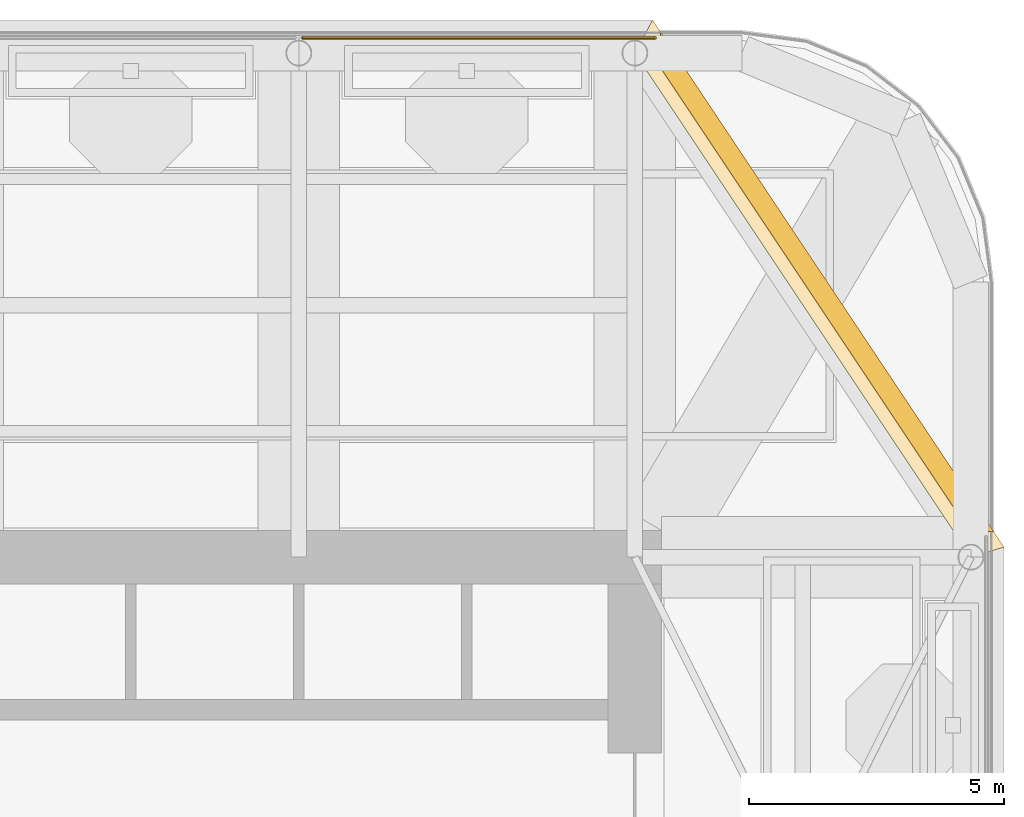
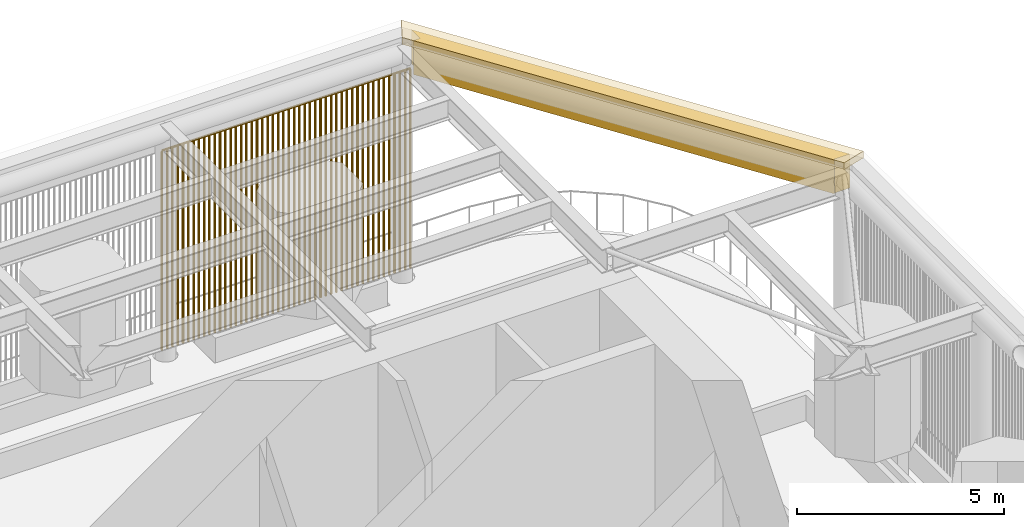
# One storey, part 21 of 22: 3 coverings.
"""IFC4 building model written with IfcOpenShell, lengths in metres."""

from ifc_helpers import new_model, si_unit, direction, frame, origin, place, context, subcontext, project, spatial, polyline, outline, extrude, material, layer, layer_set, type_object, element, save


model = new_model("IFC4")

# Units and contexts
model_context = context("Model", 3, precision=1e-05, world=origin(), true_north=direction((0.0, 1.0)))
body_context = subcontext(model_context, "Body", "Model", "MODEL_VIEW")
ifc_project = project(units=[si_unit("LENGTHUNIT", "METRE"), si_unit("AREAUNIT", "SQUARE_METRE"), si_unit("VOLUMEUNIT", "CUBIC_METRE"), si_unit("PLANEANGLEUNIT", "RADIAN"), si_unit("MASSUNIT", "GRAM", prefix="KILO")], contexts=[model_context])

# Site, building, storey
site_placement = place(None, origin())
site = spatial("IfcSite", under=ifc_project, at=site_placement, CompositionType="ELEMENT")
building_placement = place(site_placement, origin())
building = spatial("IfcBuilding", under=site, at=building_placement, Name="Cobogo Forest Laboratory Tower", CompositionType="ELEMENT")
storey_placement = place(building_placement, frame((0.0, 0.0, 292.800048828125)))
storey = spatial("IfcBuildingStorey", under=building, at=storey_placement, Name="RF", CompositionType="ELEMENT", Elevation=292.800048828125)

# Coverings
ifc_material_1 = material(Name="Terracotta rainscreen panels on steel brackets", Category="masonry")
ifc_layer_1 = layer(ifc_material_1, 0.389892578125)
ifc_layer_set_1 = layer_set([ifc_layer_1], Name="CF1 crown terracotta fascia 390")
covering_type_1 = type_object("IfcCoveringType", Name="CF1 crown terracotta fascia 390", PredefinedType="CLADDING", material=ifc_layer_set_1)
covering_1_placement = place(storey_placement, frame((0.0, 0.0, 5.89990234375)))
element("IfcCovering", 1, at=covering_1_placement, inside=storey, type_object=covering_type_1, Name="Crown fascia NE", PredefinedType="CLADDING", context=body_context, shape_type="SweptSolid", body=[
    extrude(outline(polyline([(46.64794921875, 33.5), (40.10009765625, 43.32177734375), (40.10009765625, 42.89990234375), (39.91259765625, 42.89990234375), (46.199951171875, 33.46875), (46.199951171875, 33.5), (46.64794921875, 33.5)])), origin(), (0.0, 0.0, 1.0), 1.00048828125),
])
ifc_material_2 = material(Name="Terracotta coping on steel brackets", Category="masonry")
ifc_layer_2 = layer(ifc_material_2, 0.199951171875)
ifc_layer_set_2 = layer_set([ifc_layer_2], Name="CF2 crown fascia coping 650")
covering_type_2 = type_object("IfcCoveringType", Name="CF2 crown fascia coping 650", PredefinedType="CLADDING", material=ifc_layer_set_2)
covering_2_placement = place(storey_placement, frame((0.0, 0.0, 6.900390625)))
element("IfcCovering", 2, at=covering_2_placement, inside=storey, type_object=covering_type_2, Name="Crown fascia coping NE", PredefinedType="CLADDING", context=body_context, shape_type="SweptSolid", body=[
    extrude(outline(polyline([(46.199951171875, 33.0), (46.85009765625, 33.19677734375), (39.94775390625, 43.550048828125), (39.60009765625, 42.89990234375), (46.199951171875, 33.0)])), origin(), (0.0, 0.0, 1.0), 0.199462890625),
])
ifc_material_3 = material(Name="Terracotta baguettes on a galvanised steel top rail", Category="masonry")
covering_type_3 = type_object("IfcCoveringType", Name="CS1 crown terracotta baguette screen", PredefinedType="CLADDING", material=ifc_material_3)
covering_3_placement = place(storey_placement, frame((33.074951171875, 43.199951171875, -0.0009765625)))
element("IfcCovering", 3, at=covering_3_placement, inside=storey, type_object=covering_type_3, Name="Crown screen N4", PredefinedType="CLADDING", context=body_context, shape_type="SweptSolid", body=[
    extrude(outline(polyline([(0.02880859375, 0.011962890625), (0.011962890625, 0.02880859375), (-0.011962890625, 0.02880859375), (-0.02880859375, 0.011962890625), (-0.02880859375, -0.011962890625), (-0.011962890625, -0.02880859375), (0.011962890625, -0.02880859375), (0.02880859375, -0.011962890625), (0.02880859375, 0.011962890625)])), frame((0.0, 0.0, 5.873046875), z_axis=(1.0, 0.0, 0.0), x_axis=(0.0, 1.0, 0.0)), (0.0, 0.0, 1.0), 6.925048828125),
    extrude(outline(polyline([(0.02880859375, 0.011962890625), (0.011962890625, 0.02880859375), (-0.011962890625, 0.02880859375), (-0.02880859375, 0.011962890625), (-0.02880859375, -0.011962890625), (-0.011962890625, -0.02880859375), (0.011962890625, -0.02880859375), (0.02880859375, -0.011962890625), (0.02880859375, 0.011962890625)])), origin(), (0.0, 0.0, 1.0), 5.841796875),
    extrude(outline(polyline([(0.02880859375, 0.011962890625), (0.011962890625, 0.02880859375), (-0.011962890625, 0.02880859375), (-0.02880859375, 0.011962890625), (-0.02880859375, -0.011962890625), (-0.011962890625, -0.02880859375), (0.011962890625, -0.02880859375), (0.02880859375, -0.011962890625), (0.02880859375, 0.011962890625)])), frame((0.1474609375, 0.0, 0.0)), (0.0, 0.0, 1.0), 5.841796875),
    extrude(outline(polyline([(0.02880859375, 0.011962890625), (0.011962890625, 0.02880859375), (-0.011962890625, 0.02880859375), (-0.02880859375, 0.011962890625), (-0.02880859375, -0.011962890625), (-0.011962890625, -0.02880859375), (0.011962890625, -0.02880859375), (0.02880859375, -0.011962890625), (0.02880859375, 0.011962890625)])), frame((0.294677734375, 0.0, 0.0)), (0.0, 0.0, 1.0), 5.841796875),
    extrude(outline(polyline([(0.02880859375, 0.011962890625), (0.011962890625, 0.02880859375), (-0.011962890625, 0.02880859375), (-0.02880859375, 0.011962890625), (-0.02880859375, -0.011962890625), (-0.011962890625, -0.02880859375), (0.011962890625, -0.02880859375), (0.02880859375, -0.011962890625), (0.02880859375, 0.011962890625)])), frame((0.442138671875, 0.0, 0.0)), (0.0, 0.0, 1.0), 5.841796875),
    extrude(outline(polyline([(0.02880859375, 0.011962890625), (0.011962890625, 0.02880859375), (-0.011962890625, 0.02880859375), (-0.02880859375, 0.011962890625), (-0.02880859375, -0.011962890625), (-0.011962890625, -0.02880859375), (0.011962890625, -0.02880859375), (0.02880859375, -0.011962890625), (0.02880859375, 0.011962890625)])), frame((0.58935546875, 0.0, 0.0)), (0.0, 0.0, 1.0), 5.841796875),
    extrude(outline(polyline([(0.02880859375, 0.011962890625), (0.011962890625, 0.02880859375), (-0.011962890625, 0.02880859375), (-0.02880859375, 0.011962890625), (-0.02880859375, -0.011962890625), (-0.011962890625, -0.02880859375), (0.011962890625, -0.02880859375), (0.02880859375, -0.011962890625), (0.02880859375, 0.011962890625)])), frame((0.73681640625, 0.0, 0.0)), (0.0, 0.0, 1.0), 5.841796875),
    extrude(outline(polyline([(0.02880859375, 0.011962890625), (0.011962890625, 0.02880859375), (-0.011962890625, 0.02880859375), (-0.02880859375, 0.011962890625), (-0.02880859375, -0.011962890625), (-0.011962890625, -0.02880859375), (0.011962890625, -0.02880859375), (0.02880859375, -0.011962890625), (0.02880859375, 0.011962890625)])), frame((0.884033203125, 0.0, 0.0)), (0.0, 0.0, 1.0), 5.841796875),
    extrude(outline(polyline([(0.02880859375, 0.011962890625), (0.011962890625, 0.02880859375), (-0.011962890625, 0.02880859375), (-0.02880859375, 0.011962890625), (-0.02880859375, -0.011962890625), (-0.011962890625, -0.02880859375), (0.011962890625, -0.02880859375), (0.02880859375, -0.011962890625), (0.02880859375, 0.011962890625)])), frame((1.031494140625, 0.0, 0.0)), (0.0, 0.0, 1.0), 5.841796875),
    extrude(outline(polyline([(0.02880859375, 0.011962890625), (0.011962890625, 0.02880859375), (-0.011962890625, 0.02880859375), (-0.02880859375, 0.011962890625), (-0.02880859375, -0.011962890625), (-0.011962890625, -0.02880859375), (0.011962890625, -0.02880859375), (0.02880859375, -0.011962890625), (0.02880859375, 0.011962890625)])), frame((1.1787109375, 0.0, 0.0)), (0.0, 0.0, 1.0), 5.841796875),
    extrude(outline(polyline([(0.02880859375, 0.011962890625), (0.011962890625, 0.02880859375), (-0.011962890625, 0.02880859375), (-0.02880859375, 0.011962890625), (-0.02880859375, -0.011962890625), (-0.011962890625, -0.02880859375), (0.011962890625, -0.02880859375), (0.02880859375, -0.011962890625), (0.02880859375, 0.011962890625)])), frame((1.326171875, 0.0, 0.0)), (0.0, 0.0, 1.0), 5.841796875),
    extrude(outline(polyline([(0.02880859375, 0.011962890625), (0.011962890625, 0.02880859375), (-0.011962890625, 0.02880859375), (-0.02880859375, 0.011962890625), (-0.02880859375, -0.011962890625), (-0.011962890625, -0.02880859375), (0.011962890625, -0.02880859375), (0.02880859375, -0.011962890625), (0.02880859375, 0.011962890625)])), frame((1.473388671875, 0.0, 0.0)), (0.0, 0.0, 1.0), 5.841796875),
    extrude(outline(polyline([(0.02880859375, 0.011962890625), (0.011962890625, 0.02880859375), (-0.011962890625, 0.02880859375), (-0.02880859375, 0.011962890625), (-0.02880859375, -0.011962890625), (-0.011962890625, -0.02880859375), (0.011962890625, -0.02880859375), (0.02880859375, -0.011962890625), (0.02880859375, 0.011962890625)])), frame((1.620849609375, 0.0, 0.0)), (0.0, 0.0, 1.0), 5.841796875),
    extrude(outline(polyline([(0.02880859375, 0.011962890625), (0.011962890625, 0.02880859375), (-0.011962890625, 0.02880859375), (-0.02880859375, 0.011962890625), (-0.02880859375, -0.011962890625), (-0.011962890625, -0.02880859375), (0.011962890625, -0.02880859375), (0.02880859375, -0.011962890625), (0.02880859375, 0.011962890625)])), frame((1.76806640625, 0.0, 0.0)), (0.0, 0.0, 1.0), 5.841796875),
    extrude(outline(polyline([(0.02880859375, 0.011962890625), (0.011962890625, 0.02880859375), (-0.011962890625, 0.02880859375), (-0.02880859375, 0.011962890625), (-0.02880859375, -0.011962890625), (-0.011962890625, -0.02880859375), (0.011962890625, -0.02880859375), (0.02880859375, -0.011962890625), (0.02880859375, 0.011962890625)])), frame((1.91552734375, 0.0, 0.0)), (0.0, 0.0, 1.0), 5.841796875),
    extrude(outline(polyline([(0.02880859375, 0.011962890625), (0.011962890625, 0.02880859375), (-0.011962890625, 0.02880859375), (-0.02880859375, 0.011962890625), (-0.02880859375, -0.011962890625), (-0.011962890625, -0.02880859375), (0.011962890625, -0.02880859375), (0.02880859375, -0.011962890625), (0.02880859375, 0.011962890625)])), frame((2.062744140625, 0.0, 0.0)), (0.0, 0.0, 1.0), 5.841796875),
    extrude(outline(polyline([(0.02880859375, 0.011962890625), (0.011962890625, 0.02880859375), (-0.011962890625, 0.02880859375), (-0.02880859375, 0.011962890625), (-0.02880859375, -0.011962890625), (-0.011962890625, -0.02880859375), (0.011962890625, -0.02880859375), (0.02880859375, -0.011962890625), (0.02880859375, 0.011962890625)])), frame((2.210205078125, 0.0, 0.0)), (0.0, 0.0, 1.0), 5.841796875),
    extrude(outline(polyline([(0.02880859375, 0.011962890625), (0.011962890625, 0.02880859375), (-0.011962890625, 0.02880859375), (-0.02880859375, 0.011962890625), (-0.02880859375, -0.011962890625), (-0.011962890625, -0.02880859375), (0.011962890625, -0.02880859375), (0.02880859375, -0.011962890625), (0.02880859375, 0.011962890625)])), frame((2.357421875, 0.0, 0.0)), (0.0, 0.0, 1.0), 5.841796875),
    extrude(outline(polyline([(0.02880859375, 0.011962890625), (0.011962890625, 0.02880859375), (-0.011962890625, 0.02880859375), (-0.02880859375, 0.011962890625), (-0.02880859375, -0.011962890625), (-0.011962890625, -0.02880859375), (0.011962890625, -0.02880859375), (0.02880859375, -0.011962890625), (0.02880859375, 0.011962890625)])), frame((2.5048828125, 0.0, 0.0)), (0.0, 0.0, 1.0), 5.841796875),
    extrude(outline(polyline([(0.02880859375, 0.011962890625), (0.011962890625, 0.02880859375), (-0.011962890625, 0.02880859375), (-0.02880859375, 0.011962890625), (-0.02880859375, -0.011962890625), (-0.011962890625, -0.02880859375), (0.011962890625, -0.02880859375), (0.02880859375, -0.011962890625), (0.02880859375, 0.011962890625)])), frame((2.652099609375, 0.0, 0.0)), (0.0, 0.0, 1.0), 5.841796875),
    extrude(outline(polyline([(0.02880859375, 0.011962890625), (0.011962890625, 0.02880859375), (-0.011962890625, 0.02880859375), (-0.02880859375, 0.011962890625), (-0.02880859375, -0.011962890625), (-0.011962890625, -0.02880859375), (0.011962890625, -0.02880859375), (0.02880859375, -0.011962890625), (0.02880859375, 0.011962890625)])), frame((2.799560546875, 0.0, 0.0)), (0.0, 0.0, 1.0), 5.841796875),
    extrude(outline(polyline([(0.02880859375, 0.011962890625), (0.011962890625, 0.02880859375), (-0.011962890625, 0.02880859375), (-0.02880859375, 0.011962890625), (-0.02880859375, -0.011962890625), (-0.011962890625, -0.02880859375), (0.011962890625, -0.02880859375), (0.02880859375, -0.011962890625), (0.02880859375, 0.011962890625)])), frame((2.94677734375, 0.0, 0.0)), (0.0, 0.0, 1.0), 5.841796875),
    extrude(outline(polyline([(0.02880859375, 0.011962890625), (0.011962890625, 0.02880859375), (-0.011962890625, 0.02880859375), (-0.02880859375, 0.011962890625), (-0.02880859375, -0.011962890625), (-0.011962890625, -0.02880859375), (0.011962890625, -0.02880859375), (0.02880859375, -0.011962890625), (0.02880859375, 0.011962890625)])), frame((3.09423828125, 0.0, 0.0)), (0.0, 0.0, 1.0), 5.841796875),
    extrude(outline(polyline([(0.02880859375, 0.011962890625), (0.011962890625, 0.02880859375), (-0.011962890625, 0.02880859375), (-0.02880859375, 0.011962890625), (-0.02880859375, -0.011962890625), (-0.011962890625, -0.02880859375), (0.011962890625, -0.02880859375), (0.02880859375, -0.011962890625), (0.02880859375, 0.011962890625)])), frame((3.241455078125, 0.0, 0.0)), (0.0, 0.0, 1.0), 5.841796875),
    extrude(outline(polyline([(0.02880859375, 0.011962890625), (0.011962890625, 0.02880859375), (-0.011962890625, 0.02880859375), (-0.02880859375, 0.011962890625), (-0.02880859375, -0.011962890625), (-0.011962890625, -0.02880859375), (0.011962890625, -0.02880859375), (0.02880859375, -0.011962890625), (0.02880859375, 0.011962890625)])), frame((3.388916015625, 0.0, 0.0)), (0.0, 0.0, 1.0), 5.841796875),
    extrude(outline(polyline([(0.02880859375, 0.011962890625), (0.011962890625, 0.02880859375), (-0.011962890625, 0.02880859375), (-0.02880859375, 0.011962890625), (-0.02880859375, -0.011962890625), (-0.011962890625, -0.02880859375), (0.011962890625, -0.02880859375), (0.02880859375, -0.011962890625), (0.02880859375, 0.011962890625)])), frame((3.5361328125, 0.0, 0.0)), (0.0, 0.0, 1.0), 5.841796875),
    extrude(outline(polyline([(0.02880859375, 0.011962890625), (0.011962890625, 0.02880859375), (-0.011962890625, 0.02880859375), (-0.02880859375, 0.011962890625), (-0.02880859375, -0.011962890625), (-0.011962890625, -0.02880859375), (0.011962890625, -0.02880859375), (0.02880859375, -0.011962890625), (0.02880859375, 0.011962890625)])), frame((3.68359375, 0.0, 0.0)), (0.0, 0.0, 1.0), 5.841796875),
    extrude(outline(polyline([(0.02880859375, 0.011962890625), (0.011962890625, 0.02880859375), (-0.011962890625, 0.02880859375), (-0.02880859375, 0.011962890625), (-0.02880859375, -0.011962890625), (-0.011962890625, -0.02880859375), (0.011962890625, -0.02880859375), (0.02880859375, -0.011962890625), (0.02880859375, 0.011962890625)])), frame((3.830810546875, 0.0, 0.0)), (0.0, 0.0, 1.0), 5.841796875),
    extrude(outline(polyline([(0.02880859375, 0.011962890625), (0.011962890625, 0.02880859375), (-0.011962890625, 0.02880859375), (-0.02880859375, 0.011962890625), (-0.02880859375, -0.011962890625), (-0.011962890625, -0.02880859375), (0.011962890625, -0.02880859375), (0.02880859375, -0.011962890625), (0.02880859375, 0.011962890625)])), frame((3.978271484375, 0.0, 0.0)), (0.0, 0.0, 1.0), 5.841796875),
    extrude(outline(polyline([(0.02880859375, 0.011962890625), (0.011962890625, 0.02880859375), (-0.011962890625, 0.02880859375), (-0.02880859375, 0.011962890625), (-0.02880859375, -0.011962890625), (-0.011962890625, -0.02880859375), (0.011962890625, -0.02880859375), (0.02880859375, -0.011962890625), (0.02880859375, 0.011962890625)])), frame((4.12548828125, 0.0, 0.0)), (0.0, 0.0, 1.0), 5.841796875),
    extrude(outline(polyline([(0.02880859375, 0.011962890625), (0.011962890625, 0.02880859375), (-0.011962890625, 0.02880859375), (-0.02880859375, 0.011962890625), (-0.02880859375, -0.011962890625), (-0.011962890625, -0.02880859375), (0.011962890625, -0.02880859375), (0.02880859375, -0.011962890625), (0.02880859375, 0.011962890625)])), frame((4.27294921875, 0.0, 0.0)), (0.0, 0.0, 1.0), 5.841796875),
    extrude(outline(polyline([(0.02880859375, 0.011962890625), (0.011962890625, 0.02880859375), (-0.011962890625, 0.02880859375), (-0.02880859375, 0.011962890625), (-0.02880859375, -0.011962890625), (-0.011962890625, -0.02880859375), (0.011962890625, -0.02880859375), (0.02880859375, -0.011962890625), (0.02880859375, 0.011962890625)])), frame((4.420166015625, 0.0, 0.0)), (0.0, 0.0, 1.0), 5.841796875),
    extrude(outline(polyline([(0.02880859375, 0.011962890625), (0.011962890625, 0.02880859375), (-0.011962890625, 0.02880859375), (-0.02880859375, 0.011962890625), (-0.02880859375, -0.011962890625), (-0.011962890625, -0.02880859375), (0.011962890625, -0.02880859375), (0.02880859375, -0.011962890625), (0.02880859375, 0.011962890625)])), frame((4.567626953125, 0.0, 0.0)), (0.0, 0.0, 1.0), 5.841796875),
    extrude(outline(polyline([(0.02880859375, 0.011962890625), (0.011962890625, 0.02880859375), (-0.011962890625, 0.02880859375), (-0.02880859375, 0.011962890625), (-0.02880859375, -0.011962890625), (-0.011962890625, -0.02880859375), (0.011962890625, -0.02880859375), (0.02880859375, -0.011962890625), (0.02880859375, 0.011962890625)])), frame((4.71484375, 0.0, 0.0)), (0.0, 0.0, 1.0), 5.841796875),
    extrude(outline(polyline([(0.02880859375, 0.011962890625), (0.011962890625, 0.02880859375), (-0.011962890625, 0.02880859375), (-0.02880859375, 0.011962890625), (-0.02880859375, -0.011962890625), (-0.011962890625, -0.02880859375), (0.011962890625, -0.02880859375), (0.02880859375, -0.011962890625), (0.02880859375, 0.011962890625)])), frame((4.8623046875, 0.0, 0.0)), (0.0, 0.0, 1.0), 5.841796875),
    extrude(outline(polyline([(0.02880859375, 0.011962890625), (0.011962890625, 0.02880859375), (-0.011962890625, 0.02880859375), (-0.02880859375, 0.011962890625), (-0.02880859375, -0.011962890625), (-0.011962890625, -0.02880859375), (0.011962890625, -0.02880859375), (0.02880859375, -0.011962890625), (0.02880859375, 0.011962890625)])), frame((5.009521484375, 0.0, 0.0)), (0.0, 0.0, 1.0), 5.841796875),
    extrude(outline(polyline([(0.02880859375, 0.011962890625), (0.011962890625, 0.02880859375), (-0.011962890625, 0.02880859375), (-0.02880859375, 0.011962890625), (-0.02880859375, -0.011962890625), (-0.011962890625, -0.02880859375), (0.011962890625, -0.02880859375), (0.02880859375, -0.011962890625), (0.02880859375, 0.011962890625)])), frame((5.156982421875, 0.0, 0.0)), (0.0, 0.0, 1.0), 5.841796875),
    extrude(outline(polyline([(0.02880859375, 0.011962890625), (0.011962890625, 0.02880859375), (-0.011962890625, 0.02880859375), (-0.02880859375, 0.011962890625), (-0.02880859375, -0.011962890625), (-0.011962890625, -0.02880859375), (0.011962890625, -0.02880859375), (0.02880859375, -0.011962890625), (0.02880859375, 0.011962890625)])), frame((5.30419921875, 0.0, 0.0)), (0.0, 0.0, 1.0), 5.841796875),
    extrude(outline(polyline([(0.02880859375, 0.011962890625), (0.011962890625, 0.02880859375), (-0.011962890625, 0.02880859375), (-0.02880859375, 0.011962890625), (-0.02880859375, -0.011962890625), (-0.011962890625, -0.02880859375), (0.011962890625, -0.02880859375), (0.02880859375, -0.011962890625), (0.02880859375, 0.011962890625)])), frame((5.45166015625, 0.0, 0.0)), (0.0, 0.0, 1.0), 5.841796875),
    extrude(outline(polyline([(0.02880859375, 0.011962890625), (0.011962890625, 0.02880859375), (-0.011962890625, 0.02880859375), (-0.02880859375, 0.011962890625), (-0.02880859375, -0.011962890625), (-0.011962890625, -0.02880859375), (0.011962890625, -0.02880859375), (0.02880859375, -0.011962890625), (0.02880859375, 0.011962890625)])), frame((5.598876953125, 0.0, 0.0)), (0.0, 0.0, 1.0), 5.841796875),
    extrude(outline(polyline([(0.02880859375, 0.011962890625), (0.011962890625, 0.02880859375), (-0.011962890625, 0.02880859375), (-0.02880859375, 0.011962890625), (-0.02880859375, -0.011962890625), (-0.011962890625, -0.02880859375), (0.011962890625, -0.02880859375), (0.02880859375, -0.011962890625), (0.02880859375, 0.011962890625)])), frame((5.746337890625, 0.0, 0.0)), (0.0, 0.0, 1.0), 5.841796875),
    extrude(outline(polyline([(0.02880859375, 0.011962890625), (0.011962890625, 0.02880859375), (-0.011962890625, 0.02880859375), (-0.02880859375, 0.011962890625), (-0.02880859375, -0.011962890625), (-0.011962890625, -0.02880859375), (0.011962890625, -0.02880859375), (0.02880859375, -0.011962890625), (0.02880859375, 0.011962890625)])), frame((5.8935546875, 0.0, 0.0)), (0.0, 0.0, 1.0), 5.841796875),
    extrude(outline(polyline([(0.02880859375, 0.011962890625), (0.011962890625, 0.02880859375), (-0.011962890625, 0.02880859375), (-0.02880859375, 0.011962890625), (-0.02880859375, -0.011962890625), (-0.011962890625, -0.02880859375), (0.011962890625, -0.02880859375), (0.02880859375, -0.011962890625), (0.02880859375, 0.011962890625)])), frame((6.041015625, 0.0, 0.0)), (0.0, 0.0, 1.0), 5.841796875),
    extrude(outline(polyline([(0.02880859375, 0.011962890625), (0.011962890625, 0.02880859375), (-0.011962890625, 0.02880859375), (-0.02880859375, 0.011962890625), (-0.02880859375, -0.011962890625), (-0.011962890625, -0.02880859375), (0.011962890625, -0.02880859375), (0.02880859375, -0.011962890625), (0.02880859375, 0.011962890625)])), frame((6.188232421875, 0.0, 0.0)), (0.0, 0.0, 1.0), 5.841796875),
    extrude(outline(polyline([(0.02880859375, 0.011962890625), (0.011962890625, 0.02880859375), (-0.011962890625, 0.02880859375), (-0.02880859375, 0.011962890625), (-0.02880859375, -0.011962890625), (-0.011962890625, -0.02880859375), (0.011962890625, -0.02880859375), (0.02880859375, -0.011962890625), (0.02880859375, 0.011962890625)])), frame((6.335693359375, 0.0, 0.0)), (0.0, 0.0, 1.0), 5.841796875),
    extrude(outline(polyline([(0.02880859375, 0.011962890625), (0.011962890625, 0.02880859375), (-0.011962890625, 0.02880859375), (-0.02880859375, 0.011962890625), (-0.02880859375, -0.011962890625), (-0.011962890625, -0.02880859375), (0.011962890625, -0.02880859375), (0.02880859375, -0.011962890625), (0.02880859375, 0.011962890625)])), frame((6.48291015625, 0.0, 0.0)), (0.0, 0.0, 1.0), 5.841796875),
    extrude(outline(polyline([(0.02880859375, 0.011962890625), (0.011962890625, 0.02880859375), (-0.011962890625, 0.02880859375), (-0.02880859375, 0.011962890625), (-0.02880859375, -0.011962890625), (-0.011962890625, -0.02880859375), (0.011962890625, -0.02880859375), (0.02880859375, -0.011962890625), (0.02880859375, 0.011962890625)])), frame((6.63037109375, 0.0, 0.0)), (0.0, 0.0, 1.0), 5.841796875),
    extrude(outline(polyline([(0.02880859375, 0.011962890625), (0.011962890625, 0.02880859375), (-0.011962890625, 0.02880859375), (-0.02880859375, 0.011962890625), (-0.02880859375, -0.011962890625), (-0.011962890625, -0.02880859375), (0.011962890625, -0.02880859375), (0.02880859375, -0.011962890625), (0.02880859375, 0.011962890625)])), frame((6.777587890625, 0.0, 0.0)), (0.0, 0.0, 1.0), 5.841796875),
    extrude(outline(polyline([(0.02880859375, 0.011962890625), (0.011962890625, 0.02880859375), (-0.011962890625, 0.02880859375), (-0.02880859375, 0.011962890625), (-0.02880859375, -0.011962890625), (-0.011962890625, -0.02880859375), (0.011962890625, -0.02880859375), (0.02880859375, -0.011962890625), (0.02880859375, 0.011962890625)])), frame((6.925048828125, 0.0, 0.0)), (0.0, 0.0, 1.0), 5.841796875),
])

save(model, "model.ifc")
